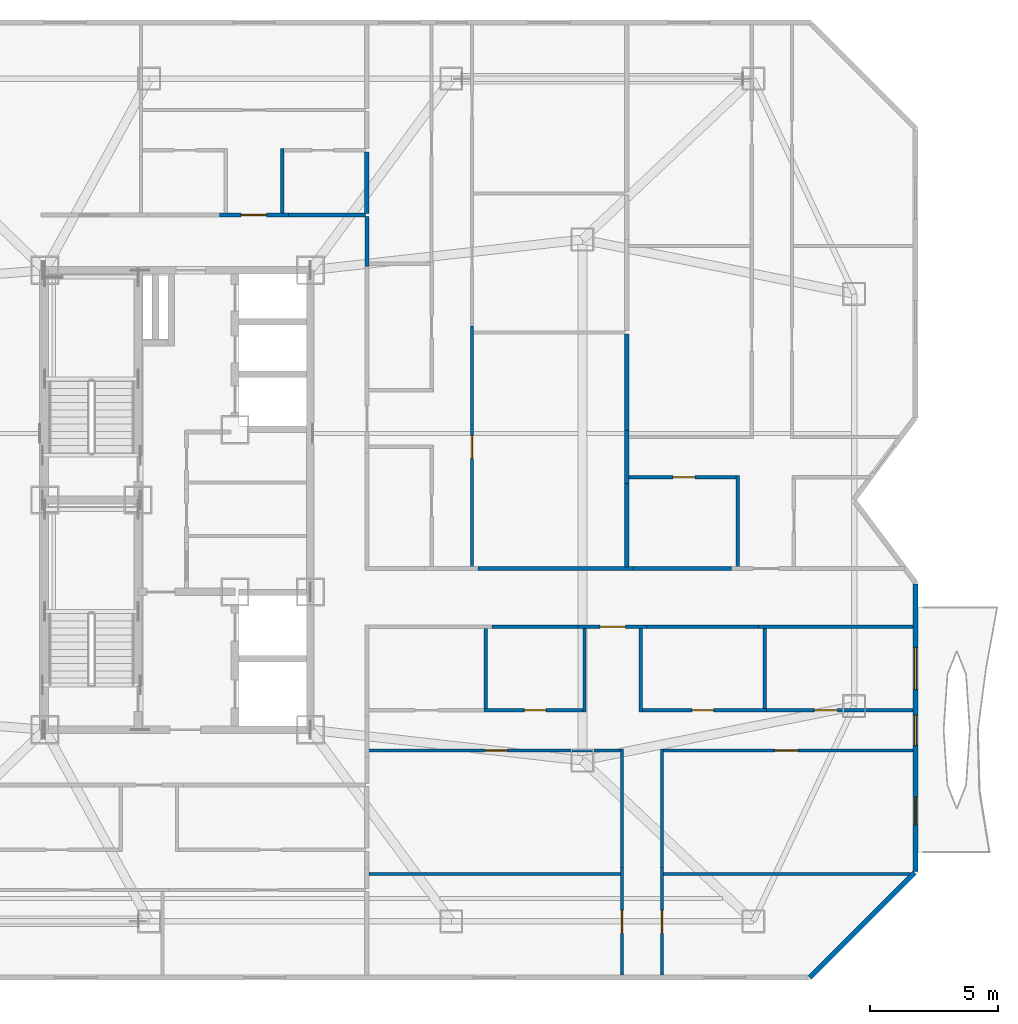
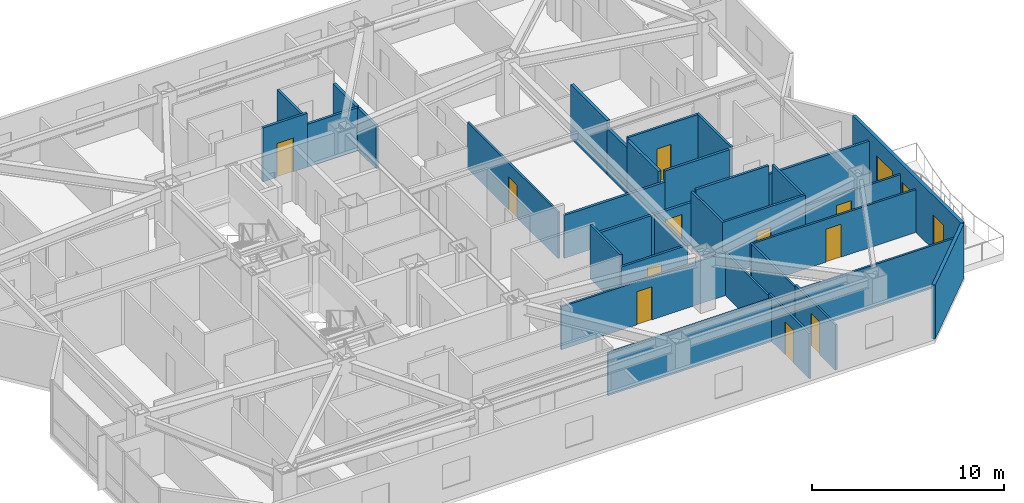
# One storey, part 13 of 17: 34 walls, 12 doors, 2 windows, 14 openings.
"""IFC4 building model written with IfcOpenShell, lengths in metres."""

from ifc_helpers import new_model, si_unit, direction, frame, frame_2d, origin, place, context, subcontext, project, spatial, rectangle, extrude, material, layer, layer_set, type_object, element, fill, save


model = new_model("IFC4")

# Units and contexts
model_context = context("Model", 3, precision=1e-05, world=origin(), true_north=direction((0.0, 1.0)))
body_context = subcontext(model_context, "Body", "Model", "MODEL_VIEW")
ifc_project = project(units=[si_unit("LENGTHUNIT", "METRE"), si_unit("AREAUNIT", "SQUARE_METRE"), si_unit("VOLUMEUNIT", "CUBIC_METRE"), si_unit("PLANEANGLEUNIT", "RADIAN"), si_unit("MASSUNIT", "GRAM", prefix="KILO")], contexts=[model_context])

# Site, building, storey
site_placement = place(None, origin())
site = spatial("IfcSite", under=ifc_project, at=site_placement, CompositionType="ELEMENT")
building_placement = place(site_placement, origin())
building = spatial("IfcBuilding", under=site, at=building_placement, Name="Khamvora Tower", CompositionType="ELEMENT")
storey_placement = place(building_placement, frame((0.0, 0.0, 192.39990234375)))
storey = spatial("IfcBuildingStorey", under=building, at=storey_placement, Name="L49", CompositionType="ELEMENT", Elevation=192.39990234375)

# Wall, opening, door
ifc_material_1 = material(Name="Fire-Rated Drywall and Steel Stud", Category="steel")
ifc_layer_1 = layer(ifc_material_1, 0.14990234375)
ifc_layer_set_1 = layer_set([ifc_layer_1], Name="Fire-Rated Drywall and Steel Stud")
wall_type_1 = type_object("IfcWallType", Name="WAL-CORR-150", PredefinedType="STANDARD", material=ifc_layer_set_1)
wall_1_placement = place(storey_placement, frame((35.841064453125, 39.1650390625, 0.0), z_axis=(0.0, 0.0, 1.0), x_axis=(1.0, 0.0, 0.0)))
wall_1 = element("IfcWall", 1, at=wall_1_placement, inside=storey, type_object=wall_type_1, Name="L49 interior partition wall 023", PredefinedType="STANDARD", context=body_context, shape_type="SweptSolid", body=[
    extrude(rectangle(XDim=2.697998046875, YDim=0.14990234375, at=frame_2d((1.34912109375, 0.0))), origin(), (0.0, 0.0, 1.0), 3.43017578125),
])
opening_1_placement = place(wall_1_placement, frame((0.84912109375, 0.0, 0.0)))
opening_1 = element("IfcOpeningElement", 2, at=opening_1_placement, cuts=wall_1, Name="Opening D-U1", PredefinedType="OPENING", context=body_context, shape_type="SweptSolid", body=[
    extrude(rectangle(XDim=1.0, YDim=2.14990234375, at=frame_2d((0.5, 1.074951171875))), frame((0.0, 0.0849609375, 0.0), z_axis=(0.0, -1.0, 0.0), x_axis=(1.0, 0.0, 0.0)), (0.0, 0.0, 1.0), 0.169921875),
])
ifc_material_2 = material(Name="Powder-Coated Steel and Hardwood Leaf", Category="steel")
door_type_1 = type_object("IfcDoorType", Name="DOR-UNIT-1000", OperationType="NOTDEFINED", PredefinedType="DOOR", material=ifc_material_2)
door_1_placement = place(opening_1_placement, origin())
door_1 = element("IfcDoor", 3, at=door_1_placement, inside=storey, type_object=door_type_1, Name="L49 interior door COR-49NAH", OperationType="SINGLE_SWING_RIGHT", OverallHeight=2.14990234375, OverallWidth=1.0, PredefinedType="DOOR", context=body_context, shape_type="SweptSolid", body=[
    extrude(rectangle(XDim=1.0, YDim=2.14990234375, at=frame_2d((0.5, 1.074951171875))), frame((0.0, 0.02490234375, 0.0), z_axis=(0.0, -1.0, 0.0), x_axis=(1.0, 0.0, 0.0)), (0.0, 0.0, 1.0), 0.050048828125),
])
fill(opening_1, door_1)

# Walls
wall_2_placement = place(storey_placement, frame((38.5390625, 39.1650390625, 0.0), z_axis=(0.0, 0.0, 1.0), x_axis=(1.0, 0.0, 0.0)))
element("IfcWall", 4, at=wall_2_placement, inside=storey, type_object=wall_type_1, Name="L49 interior partition wall 025", PredefinedType="STANDARD", context=body_context, shape_type="SweptSolid", body=[
    extrude(rectangle(XDim=3.010986328125, YDim=0.14990234375, at=frame_2d((1.50537109375, 0.0))), origin(), (0.0, 0.0, 1.0), 2.72509765625),
])
wall_3_placement = place(storey_placement, frame((63.008056640625, 23.034912109375, 0.0), z_axis=(0.0, 0.0, 1.0), x_axis=(-1.0, 0.0, 0.0)))
element("IfcWall", 5, at=wall_3_placement, inside=storey, type_object=wall_type_1, Name="L49 interior partition wall 028", PredefinedType="STANDARD", context=body_context, shape_type="SweptSolid", body=[
    extrude(rectangle(XDim=6.05712890625, YDim=0.14990234375, at=frame_2d((3.028564453125, 0.0))), origin(), (0.0, 0.0, 1.0), 2.8759765625),
])

# Wall, opening, door
wall_4_placement = place(storey_placement, frame((52.583984375, 23.034912109375, 0.0), z_axis=(0.0, 0.0, 1.0), x_axis=(-1.0, 0.0, 0.0)))
wall_4 = element("IfcWall", 6, at=wall_4_placement, inside=storey, type_object=wall_type_1, Name="L49 interior partition wall 029", PredefinedType="STANDARD", context=body_context, shape_type="SweptSolid", body=[
    extrude(rectangle(XDim=2.697998046875, YDim=0.14990234375, at=frame_2d((1.34912109375, 0.0))), origin(), (0.0, 0.0, 1.0), 2.72509765625),
])
opening_2_placement = place(wall_4_placement, frame((0.84912109375, 0.0, 0.0)))
opening_2 = element("IfcOpeningElement", 7, at=opening_2_placement, cuts=wall_4, Name="Opening D-U1", PredefinedType="OPENING", context=body_context, shape_type="SweptSolid", body=[
    extrude(rectangle(XDim=1.0, YDim=2.14990234375, at=frame_2d((0.5, 1.074951171875))), frame((0.0, 0.0849609375, 0.0), z_axis=(0.0, -1.0, 0.0), x_axis=(1.0, 0.0, 0.0)), (0.0, 0.0, 1.0), 0.169921875),
])
door_2_placement = place(opening_2_placement, origin())
door_2 = element("IfcDoor", 8, at=door_2_placement, inside=storey, type_object=door_type_1, Name="L49 interior door COR-49EAH", OperationType="SINGLE_SWING_LEFT", OverallHeight=2.14990234375, OverallWidth=1.0, PredefinedType="DOOR", context=body_context, shape_type="SweptSolid", body=[
    extrude(rectangle(XDim=1.0, YDim=2.14990234375, at=frame_2d((0.5, 1.074951171875))), frame((0.0, 0.02490234375, 0.0), z_axis=(0.0, -1.0, 0.0), x_axis=(1.0, 0.0, 0.0)), (0.0, 0.0, 1.0), 0.050048828125),
])
fill(opening_2, door_2)

# Walls
wall_5_placement = place(storey_placement, frame((49.885986328125, 23.034912109375, 0.0), z_axis=(0.0, 0.0, 1.0), x_axis=(-1.0, 0.0, 0.0)))
element("IfcWall", 9, at=wall_5_placement, inside=storey, type_object=wall_type_1, Name="L49 interior partition wall 031", PredefinedType="STANDARD", context=body_context, shape_type="SweptSolid", body=[
    extrude(rectangle(XDim=3.366943359375, YDim=0.14990234375, at=frame_2d((1.68359375, 0.0))), origin(), (0.0, 0.0, 1.0), 2.72509765625),
])
wall_6_placement = place(storey_placement, frame((56.950927734375, 23.034912109375, 0.0), z_axis=(0.0, 0.0, 1.0), x_axis=(-1.0, 0.0, 0.0)))
element("IfcWall", 10, at=wall_6_placement, inside=storey, type_object=wall_type_1, Name="L49 interior partition wall 032", PredefinedType="STANDARD", context=body_context, shape_type="SweptSolid", body=[
    extrude(rectangle(XDim=4.366943359375, YDim=0.14990234375, at=frame_2d((2.18359375, 0.0))), origin(), (0.0, 0.0, 1.0), 3.43017578125),
])
wall_7_placement = place(storey_placement, frame((41.614990234375, 39.10009765625, 0.0), z_axis=(0.0, 0.0, 1.0), x_axis=(0.0, -1.0, 0.0)))
element("IfcWall", 11, at=wall_7_placement, inside=storey, type_object=wall_type_1, Name="L49 interior partition wall 034", PredefinedType="STANDARD", context=body_context, shape_type="SweptSolid", body=[
    extrude(rectangle(XDim=1.9501953125, YDim=0.14990234375, at=frame_2d((0.97509765625, 0.0))), origin(), (0.0, 0.0, 1.0), 2.72509765625),
])
wall_8_placement = place(storey_placement, frame((45.97412109375, 25.31494140625, 0.0), z_axis=(0.0, 0.0, 1.0), x_axis=(1.0, 0.0, 0.0)))
element("IfcWall", 12, at=wall_8_placement, inside=storey, type_object=wall_type_1, Name="L49 interior partition wall 040", PredefinedType="STANDARD", context=body_context, shape_type="SweptSolid", body=[
    extrude(rectangle(XDim=6.059814453125, YDim=0.14990234375, at=frame_2d((3.02978515625, 0.0))), origin(), (0.0, 0.0, 1.0), 2.72509765625),
])
wall_9_placement = place(storey_placement, frame((52.033935546875, 25.31494140625, 0.0), z_axis=(0.0, 0.0, 1.0), x_axis=(1.0, 0.0, 0.0)))
element("IfcWall", 13, at=wall_9_placement, inside=storey, type_object=wall_type_1, Name="L49 interior partition wall 043", PredefinedType="STANDARD", context=body_context, shape_type="SweptSolid", body=[
    extrude(rectangle(XDim=3.85595703125, YDim=0.14990234375, at=frame_2d((1.927978515625, 0.0))), origin(), (0.0, 0.0, 1.0), 3.43017578125),
])
ifc_material_3 = material(Name="Acoustic Double-Stud Fire Wall", Category="gypsum")
ifc_layer_2 = layer(ifc_material_3, 0.179931640625)
ifc_layer_set_2 = layer_set([ifc_layer_2], Name="Acoustic Double-Stud Fire Wall")
wall_type_2 = type_object("IfcWallType", Name="WAL-CORR-180", PredefinedType="STANDARD", material=ifc_layer_set_2)
wall_10_placement = place(storey_placement, frame((41.614990234375, 41.6298828125, 0.0), z_axis=(0.0, 0.0, 1.0), x_axis=(0.0, -1.0, 0.0)))
element("IfcWall", 14, at=wall_10_placement, inside=storey, type_object=wall_type_2, Name="L49 interior partition wall 090", PredefinedType="STANDARD", context=body_context, shape_type="SweptSolid", body=[
    extrude(rectangle(XDim=2.39990234375, YDim=0.179931640625, at=frame_2d((1.199951171875, 0.0))), origin(), (0.0, 0.0, 1.0), 2.72509765625),
])
wall_11_placement = place(storey_placement, frame((51.784912109375, 30.72412109375, 0.0), z_axis=(0.0, 0.0, 1.0), x_axis=(0.0, -1.0, 0.0)))
element("IfcWall", 15, at=wall_11_placement, inside=storey, type_object=wall_type_2, Name="L49 interior partition wall 118", PredefinedType="STANDARD", context=body_context, shape_type="SweptSolid", body=[
    extrude(rectangle(XDim=2.078125, YDim=0.179931640625, at=frame_2d((1.0390625, 0.0))), origin(), (0.0, 0.0, 1.0), 2.961181640625),
])
wall_12_placement = place(storey_placement, frame((51.784912109375, 28.64599609375, 0.0), z_axis=(0.0, 0.0, 1.0), x_axis=(0.0, -1.0, 0.0)))
element("IfcWall", 16, at=wall_12_placement, inside=storey, type_object=wall_type_2, Name="L49 interior partition wall 119", PredefinedType="STANDARD", context=body_context, shape_type="SweptSolid", body=[
    extrude(rectangle(XDim=3.263916015625, YDim=0.179931640625, at=frame_2d((1.6318359375, 0.0))), origin(), (0.0, 0.0, 1.0), 3.43017578125),
])
wall_13_placement = place(storey_placement, frame((51.784912109375, 34.501953125, 0.0), z_axis=(0.0, 0.0, 1.0), x_axis=(0.0, -1.0, 0.0)))
element("IfcWall", 17, at=wall_13_placement, inside=storey, type_object=wall_type_2, Name="L49 interior partition wall 120", PredefinedType="STANDARD", context=body_context, shape_type="SweptSolid", body=[
    extrude(rectangle(XDim=3.77783203125, YDim=0.179931640625, at=frame_2d((1.888916015625, 0.0))), origin(), (0.0, 0.0, 1.0), 3.43017578125),
])

# Wall, openings, door, windows
ifc_material_4 = material(Name="Precast concrete C40/50", Category="concrete")
ifc_layer_3 = layer(ifc_material_4, 0.199951171875)
ifc_layer_set_3 = layer_set([ifc_layer_3], Name="Precast concrete C40/50")
wall_type_3 = type_object("IfcWallType", Name="WAL-EXT-200", PredefinedType="STANDARD", material=ifc_layer_set_3)
wall_14_placement = place(storey_placement, frame((63.10009765625, 24.717041015625, 0.0), z_axis=(0.0, 0.0, 1.0), x_axis=(0.0, -1.0, 0.0)))
wall_14 = element("IfcWall", 18, at=wall_14_placement, inside=storey, type_object=wall_type_3, Name="L49 exterior facade wall 12.1", PredefinedType="STANDARD", context=body_context, shape_type="SweptSolid", body=[
    extrude(rectangle(XDim=11.276123046875, YDim=0.199951171875, at=frame_2d((5.63818359375, 0.0))), origin(), (0.0, 0.0, 1.0), 3.43017578125),
])
opening_3_placement = place(wall_14_placement, frame((8.35009765625, 0.0, 0.0)))
opening_3 = element("IfcOpeningElement", 19, at=opening_3_placement, cuts=wall_14, Name="Opening BD-01", PredefinedType="OPENING", context=body_context, shape_type="SweptSolid", body=[
    extrude(rectangle(XDim=1.10009765625, YDim=2.199951171875, at=frame_2d((0.550048828125, 1.10009765625))), frame((0.0, 0.10986328125, 0.0), z_axis=(0.0, -1.0, 0.0), x_axis=(1.0, 0.0, 0.0)), (0.0, 0.0, 1.0), 0.219970703125),
])
opening_4_placement = place(wall_14_placement, frame((2.490966796875, 0.0, 0.85009765625)))
opening_4 = element("IfcOpeningElement", 20, at=opening_4_placement, cuts=wall_14, Name="Opening WN-06", PredefinedType="OPENING", context=body_context, shape_type="SweptSolid", body=[
    extrude(rectangle(XDim=1.64990234375, YDim=1.550048828125, at=frame_2d((0.824951171875, 0.77490234375))), frame((0.0, 0.10986328125, 0.0), z_axis=(0.0, -1.0, 0.0), x_axis=(1.0, 0.0, 0.0)), (0.0, 0.0, 1.0), 0.219970703125),
])
opening_5_placement = place(wall_14_placement, frame((5.14111328125, 0.0, 0.800048828125)))
opening_5 = element("IfcOpeningElement", 21, at=opening_5_placement, cuts=wall_14, Name="Opening WN-03", PredefinedType="OPENING", context=body_context, shape_type="SweptSolid", body=[
    extrude(rectangle(XDim=1.199951171875, YDim=1.5, at=frame_2d((0.60009765625, 0.75))), frame((0.0, 0.10986328125, 0.0), z_axis=(0.0, -1.0, 0.0), x_axis=(1.0, 0.0, 0.0)), (0.0, 0.0, 1.0), 0.219970703125),
])
ifc_material_5 = material(Name="Anodised Aluminium and Laminated Safety Glass", Category="aluminium")
door_type_2 = type_object("IfcDoorType", Name="DOR-BAL-1100", OperationType="NOTDEFINED", PredefinedType="DOOR", material=ifc_material_5)
door_3_placement = place(opening_3_placement, origin())
door_3 = element("IfcDoor", 22, at=door_3_placement, inside=storey, type_object=door_type_2, Name="L49 lens gallery balcony door EL1", OperationType="SLIDING_TO_LEFT", OverallHeight=2.199951171875, OverallWidth=1.10009765625, PredefinedType="DOOR", context=body_context, shape_type="SweptSolid", body=[
    extrude(rectangle(XDim=1.10009765625, YDim=2.199951171875, at=frame_2d((0.550048828125, 1.10009765625))), frame((0.0, 0.02490234375, 0.0), z_axis=(0.0, -1.0, 0.0), x_axis=(1.0, 0.0, 0.0)), (0.0, 0.0, 1.0), 0.050048828125),
])
fill(opening_3, door_3)
ifc_material_6 = material(Name="Low-E Laminated Double Glazing", Category="glass")
window_type_1 = type_object("IfcWindowType", Name="WIN-VIS-1200x1500", PartitioningType="SINGLE_PANEL", PredefinedType="WINDOW", material=ifc_material_6)
window_1_placement = place(opening_5_placement, origin())
window_1 = element("IfcWindow", 23, at=window_1_placement, inside=storey, type_object=window_type_1, Name="L49 vision window 12.1.02", OverallHeight=1.5, OverallWidth=1.199951171875, PartitioningType="SINGLE_PANEL", PredefinedType="WINDOW", context=body_context, shape_type="SweptSolid", body=[
    extrude(rectangle(XDim=1.199951171875, YDim=1.5, at=frame_2d((0.60009765625, 0.75))), frame((0.0, 0.030029296875, 0.0), z_axis=(0.0, -1.0, 0.0), x_axis=(1.0, 0.0, 0.0)), (0.0, 0.0, 1.0), 0.06005859375),
])
fill(opening_5, window_1)
window_type_2 = type_object("IfcWindowType", Name="WIN-VIS-1650x1550", PartitioningType="SINGLE_PANEL", PredefinedType="WINDOW", material=ifc_material_6)
window_2_placement = place(opening_4_placement, origin())
window_2 = element("IfcWindow", 24, at=window_2_placement, inside=storey, type_object=window_type_2, Name="L49 vision window 12.1.01", OverallHeight=1.550048828125, OverallWidth=1.64990234375, PartitioningType="SINGLE_PANEL", PredefinedType="WINDOW", context=body_context, shape_type="SweptSolid", body=[
    extrude(rectangle(XDim=1.64990234375, YDim=1.550048828125, at=frame_2d((0.824951171875, 0.77490234375))), frame((0.0, 0.030029296875, 0.0), z_axis=(0.0, -1.0, 0.0), x_axis=(1.0, 0.0, 0.0)), (0.0, 0.0, 1.0), 0.06005859375),
])
fill(opening_4, window_2)

# Wall
wall_15_placement = place(storey_placement, frame((63.056884765625, 13.39794921875, 0.0), z_axis=(0.0, 0.0, 1.0), x_axis=(-0.707106781187, -0.707106781187, 0.0)))
element("IfcWall", 25, at=wall_15_placement, inside=storey, type_object=wall_type_3, Name="L49 exterior facade wall 13.1", PredefinedType="STANDARD", context=body_context, shape_type="SweptSolid", body=[
    extrude(rectangle(XDim=5.79541015625, YDim=0.199951171875, at=frame_2d((2.897705078125, 0.0))), origin(), (0.0, 0.0, 1.0), 3.43017578125),
])

# Wall, opening, door
ifc_material_7 = material(Name="Gypsum Plasterboard Partition", Category="gypsum")
ifc_layer_4 = layer(ifc_material_7, 0.1201171875)
ifc_layer_set_4 = layer_set([ifc_layer_4], Name="Gypsum Plasterboard Partition")
wall_type_4 = type_object("IfcWallType", Name="WAL-PART-120", PredefinedType="PARTITIONING", material=ifc_layer_set_4)
wall_16_placement = place(storey_placement, frame((63.008056640625, 19.76611328125, 0.0), z_axis=(0.0, 0.0, 1.0), x_axis=(-1.0, 0.0, 0.0)))
wall_16 = element("IfcWall", 26, at=wall_16_placement, inside=storey, type_object=wall_type_4, Name="L49 interior partition wall 094", PredefinedType="PARTITIONING", context=body_context, shape_type="SweptSolid", body=[
    extrude(rectangle(XDim=5.7431640625, YDim=0.1201171875, at=frame_2d((2.87158203125, 0.0))), origin(), (0.0, 0.0, 1.0), 2.72509765625),
])
opening_6_placement = place(wall_16_placement, frame((2.965087890625, 0.0, 0.0)))
opening_6 = element("IfcOpeningElement", 27, at=opening_6_placement, cuts=wall_16, Name="Opening D-RM1", PredefinedType="OPENING", context=body_context, shape_type="SweptSolid", body=[
    extrude(rectangle(XDim=0.89990234375, YDim=2.10009765625, at=frame_2d((0.449951171875, 1.050048828125))), frame((0.0, 0.070068359375, 0.0), z_axis=(0.0, -1.0, 0.0), x_axis=(1.0, 0.0, 0.0)), (0.0, 0.0, 1.0), 0.14013671875),
])
door_type_3 = type_object("IfcDoorType", Name="DOR-ROOM-900", OperationType="NOTDEFINED", PredefinedType="DOOR", material=ifc_material_2)
door_4_placement = place(opening_6_placement, origin())
door_4 = element("IfcDoor", 28, at=door_4_placement, inside=storey, type_object=door_type_3, Name="L49 interior door 49EAW2-49EAH", OperationType="SINGLE_SWING_RIGHT", OverallHeight=2.10009765625, OverallWidth=0.89990234375, PredefinedType="DOOR", context=body_context, shape_type="SweptSolid", body=[
    extrude(rectangle(XDim=0.89990234375, YDim=2.10009765625, at=frame_2d((0.449951171875, 1.050048828125))), frame((0.0, 0.02490234375, 0.0), z_axis=(0.0, -1.0, 0.0), x_axis=(1.0, 0.0, 0.0)), (0.0, 0.0, 1.0), 0.050048828125),
])
fill(opening_6, door_4)

wall_17_placement = place(storey_placement, frame((51.60009765625, 9.39208984375, 0.0), z_axis=(0.0, 0.0, 1.0), x_axis=(0.0, 1.0, 0.0)))
wall_17 = element("IfcWall", 29, at=wall_17_placement, inside=storey, type_object=wall_type_4, Name="L49 interior partition wall 100", PredefinedType="PARTITIONING", context=body_context, shape_type="SweptSolid", body=[
    extrude(rectangle(XDim=4.2080078125, YDim=0.1201171875, at=frame_2d((2.10400390625, 0.0))), origin(), (0.0, 0.0, 1.0), 2.8759765625),
])
opening_7_placement = place(wall_17_placement, frame((1.633056640625, 0.0, 0.0)))
opening_7 = element("IfcOpeningElement", 30, at=opening_7_placement, cuts=wall_17, Name="Opening D-RM1", PredefinedType="OPENING", context=body_context, shape_type="SweptSolid", body=[
    extrude(rectangle(XDim=0.89990234375, YDim=2.10009765625, at=frame_2d((0.449951171875, 1.050048828125))), frame((0.0, 0.070068359375, 0.0), z_axis=(0.0, -1.0, 0.0), x_axis=(1.0, 0.0, 0.0)), (0.0, 0.0, 1.0), 0.14013671875),
])
door_5_placement = place(opening_7_placement, origin())
door_5 = element("IfcDoor", 31, at=door_5_placement, inside=storey, type_object=door_type_3, Name="L49 interior door 49EAH-49EAR1", OperationType="SINGLE_SWING_RIGHT", OverallHeight=2.10009765625, OverallWidth=0.89990234375, PredefinedType="DOOR", context=body_context, shape_type="SweptSolid", body=[
    extrude(rectangle(XDim=0.89990234375, YDim=2.10009765625, at=frame_2d((0.449951171875, 1.050048828125))), frame((0.0, 0.02490234375, 0.0), z_axis=(0.0, -1.0, 0.0), x_axis=(1.0, 0.0, 0.0)), (0.0, 0.0, 1.0), 0.050048828125),
])
fill(opening_7, door_5)

# Wall
wall_18_placement = place(storey_placement, frame((51.60009765625, 13.60009765625, 0.0), z_axis=(0.0, 0.0, 1.0), x_axis=(0.0, 1.0, 0.0)))
element("IfcWall", 32, at=wall_18_placement, inside=storey, type_object=wall_type_4, Name="L49 interior partition wall 101", PredefinedType="PARTITIONING", context=body_context, shape_type="SweptSolid", body=[
    extrude(rectangle(XDim=4.65087890625, YDim=0.1201171875, at=frame_2d((2.325439453125, 0.0))), origin(), (0.0, 0.0, 1.0), 2.72509765625),
])

# Wall, opening, door
wall_19_placement = place(storey_placement, frame((51.6650390625, 18.18603515625, 0.0), z_axis=(0.0, 0.0, 1.0), x_axis=(-1.0, 0.0, 0.0)))
wall_19 = element("IfcWall", 33, at=wall_19_placement, inside=storey, type_object=wall_type_4, Name="L49 interior partition wall 102", PredefinedType="PARTITIONING", context=body_context, shape_type="SweptSolid", body=[
    extrude(rectangle(XDim=9.983154296875, YDim=0.1201171875, at=frame_2d((4.99169921875, 0.0))), origin(), (0.0, 0.0, 1.0), 2.72509765625),
])
opening_8_placement = place(wall_19_placement, frame((4.5419921875, 0.0, 0.0)))
opening_8 = element("IfcOpeningElement", 34, at=opening_8_placement, cuts=wall_19, Name="Opening D-RM1", PredefinedType="OPENING", context=body_context, shape_type="SweptSolid", body=[
    extrude(rectangle(XDim=0.89990234375, YDim=2.10009765625, at=frame_2d((0.449951171875, 1.050048828125))), frame((0.0, 0.070068359375, 0.0), z_axis=(0.0, -1.0, 0.0), x_axis=(1.0, 0.0, 0.0)), (0.0, 0.0, 1.0), 0.14013671875),
])
door_6_placement = place(opening_8_placement, origin())
door_6 = element("IfcDoor", 35, at=door_6_placement, inside=storey, type_object=door_type_3, Name="L49 interior door 49EAH-49EAR2", OperationType="SINGLE_SWING_LEFT", OverallHeight=2.10009765625, OverallWidth=0.89990234375, PredefinedType="DOOR", context=body_context, shape_type="SweptSolid", body=[
    extrude(rectangle(XDim=0.89990234375, YDim=2.10009765625, at=frame_2d((0.449951171875, 1.050048828125))), frame((0.0, 0.02490234375, 0.0), z_axis=(0.0, -1.0, 0.0), x_axis=(1.0, 0.0, 0.0)), (0.0, 0.0, 1.0), 0.050048828125),
])
fill(opening_8, door_6)

wall_20_placement = place(storey_placement, frame((53.169921875, 13.60009765625, 0.0), z_axis=(0.0, 0.0, 1.0), x_axis=(0.0, -1.0, 0.0)))
wall_20 = element("IfcWall", 36, at=wall_20_placement, inside=storey, type_object=wall_type_4, Name="L49 interior partition wall 103", PredefinedType="PARTITIONING", context=body_context, shape_type="SweptSolid", body=[
    extrude(rectangle(XDim=4.2080078125, YDim=0.1201171875, at=frame_2d((2.10400390625, 0.0))), origin(), (0.0, 0.0, 1.0), 2.8759765625),
])
opening_9_placement = place(wall_20_placement, frame((1.675048828125, 0.0, 0.0)))
opening_9 = element("IfcOpeningElement", 37, at=opening_9_placement, cuts=wall_20, Name="Opening D-RM1", PredefinedType="OPENING", context=body_context, shape_type="SweptSolid", body=[
    extrude(rectangle(XDim=0.89990234375, YDim=2.10009765625, at=frame_2d((0.449951171875, 1.050048828125))), frame((0.0, 0.070068359375, 0.0), z_axis=(0.0, -1.0, 0.0), x_axis=(1.0, 0.0, 0.0)), (0.0, 0.0, 1.0), 0.14013671875),
])
door_7_placement = place(opening_9_placement, origin())
door_7 = element("IfcDoor", 38, at=door_7_placement, inside=storey, type_object=door_type_3, Name="L49 interior door 49EAH-49EAR3", OperationType="SINGLE_SWING_RIGHT", OverallHeight=2.10009765625, OverallWidth=0.89990234375, PredefinedType="DOOR", context=body_context, shape_type="SweptSolid", body=[
    extrude(rectangle(XDim=0.89990234375, YDim=2.10009765625, at=frame_2d((0.449951171875, 1.050048828125))), frame((0.0, 0.02490234375, 0.0), z_axis=(0.0, -1.0, 0.0), x_axis=(1.0, 0.0, 0.0)), (0.0, 0.0, 1.0), 0.050048828125),
])
fill(opening_9, door_7)

wall_21_placement = place(storey_placement, frame((63.008056640625, 18.18603515625, 0.0), z_axis=(0.0, 0.0, 1.0), x_axis=(-1.0, 0.0, 0.0)))
wall_21 = element("IfcWall", 39, at=wall_21_placement, inside=storey, type_object=wall_type_4, Name="L49 interior partition wall 104", PredefinedType="PARTITIONING", context=body_context, shape_type="SweptSolid", body=[
    extrude(rectangle(XDim=9.903076171875, YDim=0.1201171875, at=frame_2d((4.95166015625, 0.0))), origin(), (0.0, 0.0, 1.0), 2.72509765625),
])
opening_10_placement = place(wall_21_placement, frame((4.501953125, 0.0, 0.0)))
opening_10 = element("IfcOpeningElement", 40, at=opening_10_placement, cuts=wall_21, Name="Opening D-RM1", PredefinedType="OPENING", context=body_context, shape_type="SweptSolid", body=[
    extrude(rectangle(XDim=0.89990234375, YDim=2.10009765625, at=frame_2d((0.449951171875, 1.050048828125))), frame((0.0, 0.070068359375, 0.0), z_axis=(0.0, -1.0, 0.0), x_axis=(1.0, 0.0, 0.0)), (0.0, 0.0, 1.0), 0.14013671875),
])
door_8_placement = place(opening_10_placement, origin())
door_8 = element("IfcDoor", 41, at=door_8_placement, inside=storey, type_object=door_type_3, Name="L49 interior door 49EAH-49EAR4", OperationType="SINGLE_SWING_LEFT", OverallHeight=2.10009765625, OverallWidth=0.89990234375, PredefinedType="DOOR", context=body_context, shape_type="SweptSolid", body=[
    extrude(rectangle(XDim=0.89990234375, YDim=2.10009765625, at=frame_2d((0.449951171875, 1.050048828125))), frame((0.0, 0.02490234375, 0.0), z_axis=(0.0, -1.0, 0.0), x_axis=(1.0, 0.0, 0.0)), (0.0, 0.0, 1.0), 0.050048828125),
])
fill(opening_10, door_8)

# Walls
wall_22_placement = place(storey_placement, frame((53.169921875, 18.2509765625, 0.0), z_axis=(0.0, 0.0, 1.0), x_axis=(0.0, -1.0, 0.0)))
element("IfcWall", 42, at=wall_22_placement, inside=storey, type_object=wall_type_4, Name="L49 interior partition wall 105", PredefinedType="PARTITIONING", context=body_context, shape_type="SweptSolid", body=[
    extrude(rectangle(XDim=4.65087890625, YDim=0.1201171875, at=frame_2d((2.325439453125, 0.0))), origin(), (0.0, 0.0, 1.0), 2.72509765625),
])
wall_23_placement = place(storey_placement, frame((41.697021484375, 13.35107421875, 0.0), z_axis=(0.0, 0.0, 1.0), x_axis=(1.0, 0.0, 0.0)))
element("IfcWall", 43, at=wall_23_placement, inside=storey, type_object=wall_type_4, Name="L49 interior partition wall 106", PredefinedType="PARTITIONING", context=body_context, shape_type="SweptSolid", body=[
    extrude(rectangle(XDim=9.848876953125, YDim=0.1201171875, at=frame_2d((4.92431640625, 0.0))), origin(), (0.0, 0.0, 1.0), 2.72509765625),
])
wall_24_placement = place(storey_placement, frame((53.22412109375, 13.35107421875, 0.0), z_axis=(0.0, 0.0, 1.0), x_axis=(1.0, 0.0, 0.0)))
element("IfcWall", 44, at=wall_24_placement, inside=storey, type_object=wall_type_4, Name="L49 interior partition wall 107", PredefinedType="PARTITIONING", context=body_context, shape_type="SweptSolid", body=[
    extrude(rectangle(XDim=9.6708984375, YDim=0.1201171875, at=frame_2d((4.83544921875, 0.0))), origin(), (0.0, 0.0, 1.0), 2.72509765625),
])

# Wall, opening, door
wall_25_placement = place(storey_placement, frame((45.72509765625, 34.81591796875, 0.0), z_axis=(0.0, 0.0, 1.0), x_axis=(0.0, -1.0, 0.0)))
wall_25 = element("IfcWall", 45, at=wall_25_placement, inside=storey, type_object=wall_type_4, Name="L49 interior partition wall 114", PredefinedType="PARTITIONING", context=body_context, shape_type="SweptSolid", body=[
    extrude(rectangle(XDim=9.433837890625, YDim=0.1201171875, at=frame_2d((4.716796875, 0.0))), origin(), (0.0, 0.0, 1.0), 2.961181640625),
])
opening_11_placement = place(wall_25_placement, frame((4.2880859375, 0.0, 0.0)))
opening_11 = element("IfcOpeningElement", 46, at=opening_11_placement, cuts=wall_25, Name="Opening D-RM1", PredefinedType="OPENING", context=body_context, shape_type="SweptSolid", body=[
    extrude(rectangle(XDim=0.89990234375, YDim=2.10009765625, at=frame_2d((0.449951171875, 1.050048828125))), frame((0.0, 0.070068359375, 0.0), z_axis=(0.0, -1.0, 0.0), x_axis=(1.0, 0.0, 0.0)), (0.0, 0.0, 1.0), 0.14013671875),
])
door_9_placement = place(opening_11_placement, origin())
door_9 = element("IfcDoor", 47, at=door_9_placement, inside=storey, type_object=door_type_3, Name="L49 interior door 49EBH-49EBR1", OperationType="SINGLE_SWING_LEFT", OverallHeight=2.10009765625, OverallWidth=0.89990234375, PredefinedType="DOOR", context=body_context, shape_type="SweptSolid", body=[
    extrude(rectangle(XDim=0.89990234375, YDim=2.10009765625, at=frame_2d((0.449951171875, 1.050048828125))), frame((0.0, 0.02490234375, 0.0), z_axis=(0.0, -1.0, 0.0), x_axis=(1.0, 0.0, 0.0)), (0.0, 0.0, 1.0), 0.050048828125),
])
fill(opening_11, door_9)

# Walls
ifc_material_8 = material(Name="Moisture-Resistant Plasterboard Partition", Category="gypsum")
ifc_layer_5 = layer(ifc_material_8, 0.135009765625)
ifc_layer_set_5 = layer_set([ifc_layer_5], Name="Moisture-Resistant Plasterboard Partition")
wall_type_5 = type_object("IfcWallType", Name="WAL-WET-135", PredefinedType="PARTITIONING", material=ifc_layer_set_5)
wall_26_placement = place(storey_placement, frame((38.2900390625, 41.760009765625, 0.0), z_axis=(0.0, 0.0, 1.0), x_axis=(0.0, -1.0, 0.0)))
element("IfcWall", 48, at=wall_26_placement, inside=storey, type_object=wall_type_5, Name="L49 interior partition wall 087", PredefinedType="PARTITIONING", context=body_context, shape_type="SweptSolid", body=[
    extrude(rectangle(XDim=2.528076171875, YDim=0.135009765625, at=frame_2d((1.26416015625, 0.0))), origin(), (0.0, 0.0, 1.0), 3.43017578125),
])
for number, where, z_axis, x_axis, name in (
    (49, (46.27001953125, 22.969970703125, 0.0), (0.0, 0.0, 1.0), (0.0, -1.0, 0.0), "L49 interior partition wall 093"),
    (50, (57.199951171875, 19.8310546875, 0.0), (0.0, 0.0, 1.0), (0.0, 1.0, 0.0), "L49 interior partition wall 095"),
):
    element("IfcWall", number, at=place(storey_placement, frame(where, z_axis=z_axis, x_axis=x_axis)), inside=storey, type_object=wall_type_5, Name=name, PredefinedType="PARTITIONING", context=body_context, shape_type="SweptSolid", body=[
        extrude(rectangle(XDim=3.138916015625, YDim=0.135009765625, at=frame_2d((1.5693359375, 0.0))), origin(), (0.0, 0.0, 1.0), 3.43017578125),
    ])

# Wall, opening, door
wall_27_placement = place(storey_placement, frame((46.205078125, 19.76611328125, 0.0), z_axis=(0.0, 0.0, 1.0), x_axis=(1.0, 0.0, 0.0)))
wall_27 = element("IfcWall", 51, at=wall_27_placement, inside=storey, type_object=wall_type_5, Name="L49 interior partition wall 096", PredefinedType="PARTITIONING", context=body_context, shape_type="SweptSolid", body=[
    extrude(rectangle(XDim=3.994873046875, YDim=0.135009765625, at=frame_2d((1.99755859375, 0.0))), origin(), (0.0, 0.0, 1.0), 2.72509765625),
])
opening_12_placement = place(wall_27_placement, frame((1.572998046875, 0.0, 0.0)))
opening_12 = element("IfcOpeningElement", 52, at=opening_12_placement, cuts=wall_27, Name="Opening D-WC1", PredefinedType="OPENING", context=body_context, shape_type="SweptSolid", body=[
    extrude(rectangle(XDim=0.85009765625, YDim=2.10009765625, at=frame_2d((0.425048828125, 1.050048828125))), frame((0.0, 0.077392578125, 0.0), z_axis=(0.0, -1.0, 0.0), x_axis=(1.0, 0.0, 0.0)), (0.0, 0.0, 1.0), 0.155029296875),
])
door_type_4 = type_object("IfcDoorType", Name="DOR-WET-850", OperationType="NOTDEFINED", PredefinedType="DOOR", material=ifc_material_2)
door_10_placement = place(opening_12_placement, origin())
door_10 = element("IfcDoor", 53, at=door_10_placement, inside=storey, type_object=door_type_4, Name="L49 interior door 49EAH-49EAB", OperationType="SINGLE_SWING_RIGHT", OverallHeight=2.10009765625, OverallWidth=0.85009765625, PredefinedType="DOOR", context=body_context, shape_type="SweptSolid", body=[
    extrude(rectangle(XDim=0.85009765625, YDim=2.10009765625, at=frame_2d((0.425048828125, 1.050048828125))), frame((0.0, 0.02490234375, 0.0), z_axis=(0.0, -1.0, 0.0), x_axis=(1.0, 0.0, 0.0)), (0.0, 0.0, 1.0), 0.050048828125),
])
fill(opening_12, door_10)

# Walls
wall_28_placement = place(storey_placement, frame((50.135009765625, 19.700927734375, 0.0), z_axis=(0.0, 0.0, 1.0), x_axis=(0.0, 1.0, 0.0)))
element("IfcWall", 54, at=wall_28_placement, inside=storey, type_object=wall_type_5, Name="L49 interior partition wall 097", PredefinedType="PARTITIONING", context=body_context, shape_type="SweptSolid", body=[
    extrude(rectangle(XDim=3.26904296875, YDim=0.135009765625, at=frame_2d((1.634521484375, 0.0))), origin(), (0.0, 0.0, 1.0), 2.72509765625),
])
wall_29_placement = place(storey_placement, frame((52.3349609375, 22.969970703125, 0.0), z_axis=(0.0, 0.0, 1.0), x_axis=(0.0, -1.0, 0.0)))
element("IfcWall", 55, at=wall_29_placement, inside=storey, type_object=wall_type_5, Name="L49 interior partition wall 098", PredefinedType="PARTITIONING", context=body_context, shape_type="SweptSolid", body=[
    extrude(rectangle(XDim=3.26904296875, YDim=0.135009765625, at=frame_2d((1.634521484375, 0.0))), origin(), (0.0, 0.0, 1.0), 3.43017578125),
])

# Wall, opening, door
wall_30_placement = place(storey_placement, frame((52.27001953125, 19.76611328125, 0.0), z_axis=(0.0, 0.0, 1.0), x_axis=(1.0, 0.0, 0.0)))
wall_30 = element("IfcWall", 56, at=wall_30_placement, inside=storey, type_object=wall_type_5, Name="L49 interior partition wall 099", PredefinedType="PARTITIONING", context=body_context, shape_type="SweptSolid", body=[
    extrude(rectangle(XDim=4.994873046875, YDim=0.135009765625, at=frame_2d((2.49755859375, 0.0))), origin(), (0.0, 0.0, 1.0), 3.43017578125),
])
opening_13_placement = place(wall_30_placement, frame((2.072998046875, 0.0, 0.0)))
opening_13 = element("IfcOpeningElement", 57, at=opening_13_placement, cuts=wall_30, Name="Opening D-RM2", PredefinedType="OPENING", context=body_context, shape_type="SweptSolid", body=[
    extrude(rectangle(XDim=0.85009765625, YDim=2.10009765625, at=frame_2d((0.425048828125, 1.050048828125))), frame((0.0, 0.077392578125, 0.0), z_axis=(0.0, -1.0, 0.0), x_axis=(1.0, 0.0, 0.0)), (0.0, 0.0, 1.0), 0.155029296875),
])
door_type_5 = type_object("IfcDoorType", Name="DOR-ROOM-850", OperationType="NOTDEFINED", PredefinedType="DOOR", material=ifc_material_2)
door_11_placement = place(opening_13_placement, origin())
door_11 = element("IfcDoor", 58, at=door_11_placement, inside=storey, type_object=door_type_5, Name="L49 interior door 49EAH-49EAK", OperationType="SINGLE_SWING_LEFT", OverallHeight=2.10009765625, OverallWidth=0.85009765625, PredefinedType="DOOR", context=body_context, shape_type="SweptSolid", body=[
    extrude(rectangle(XDim=0.85009765625, YDim=2.10009765625, at=frame_2d((0.425048828125, 1.050048828125))), frame((0.0, 0.02490234375, 0.0), z_axis=(0.0, -1.0, 0.0), x_axis=(1.0, 0.0, 0.0)), (0.0, 0.0, 1.0), 0.050048828125),
])
fill(opening_13, door_11)

# Wall
wall_31_placement = place(storey_placement, frame((56.138916015625, 25.382080078125, 0.0), z_axis=(0.0, 0.0, 1.0), x_axis=(0.0, 1.0, 0.0)))
element("IfcWall", 59, at=wall_31_placement, inside=storey, type_object=wall_type_5, Name="L49 interior partition wall 127", PredefinedType="PARTITIONING", context=body_context, shape_type="SweptSolid", body=[
    extrude(rectangle(XDim=3.577880859375, YDim=0.135009765625, at=frame_2d((1.7890625, 0.0))), origin(), (0.0, 0.0, 1.0), 3.43017578125),
])

# Wall, opening, door
wall_32_placement = place(storey_placement, frame((56.2041015625, 28.89501953125, 0.0), z_axis=(0.0, 0.0, 1.0), x_axis=(-1.0, 0.0, 0.0)))
wall_32 = element("IfcWall", 60, at=wall_32_placement, inside=storey, type_object=wall_type_5, Name="L49 interior partition wall 128", PredefinedType="PARTITIONING", context=body_context, shape_type="SweptSolid", body=[
    extrude(rectangle(XDim=4.337158203125, YDim=0.135009765625, at=frame_2d((2.16845703125, 0.0))), origin(), (0.0, 0.0, 1.0), 3.43017578125),
])
opening_14_placement = place(wall_32_placement, frame((1.742919921875, 0.0, 0.0)))
opening_14 = element("IfcOpeningElement", 61, at=opening_14_placement, cuts=wall_32, Name="Opening D-RM2", PredefinedType="OPENING", context=body_context, shape_type="SweptSolid", body=[
    extrude(rectangle(XDim=0.85009765625, YDim=2.10009765625, at=frame_2d((0.425048828125, 1.050048828125))), frame((0.0, 0.077392578125, 0.0), z_axis=(0.0, -1.0, 0.0), x_axis=(1.0, 0.0, 0.0)), (0.0, 0.0, 1.0), 0.155029296875),
])
door_12_placement = place(opening_14_placement, origin())
door_12 = element("IfcDoor", 62, at=door_12_placement, inside=storey, type_object=door_type_5, Name="L49 interior door 49ECH-49ECK", OperationType="SINGLE_SWING_LEFT", OverallHeight=2.10009765625, OverallWidth=0.85009765625, PredefinedType="DOOR", context=body_context, shape_type="SweptSolid", body=[
    extrude(rectangle(XDim=0.85009765625, YDim=2.10009765625, at=frame_2d((0.425048828125, 1.050048828125))), frame((0.0, 0.02490234375, 0.0), z_axis=(0.0, -1.0, 0.0), x_axis=(1.0, 0.0, 0.0)), (0.0, 0.0, 1.0), 0.050048828125),
])
fill(opening_14, door_12)

save(model, "model.ifc")
